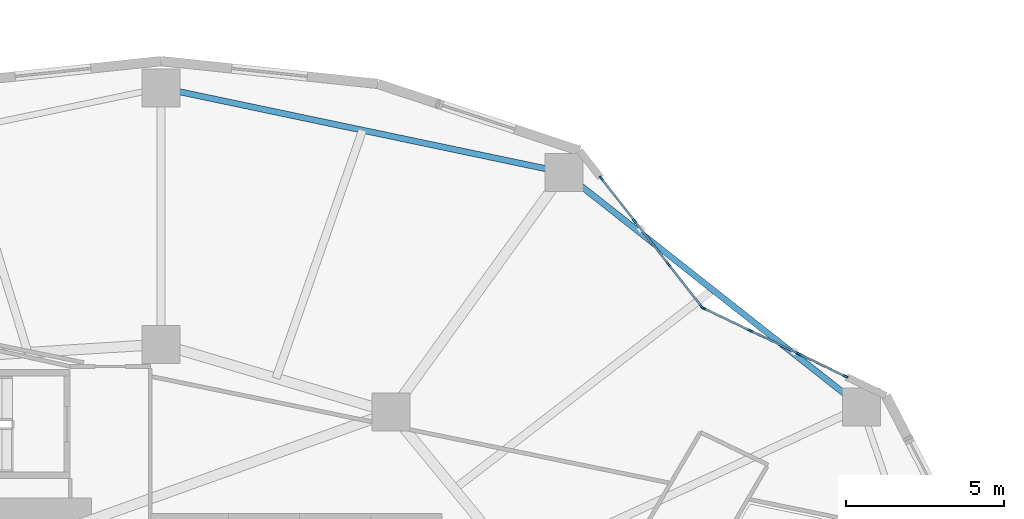
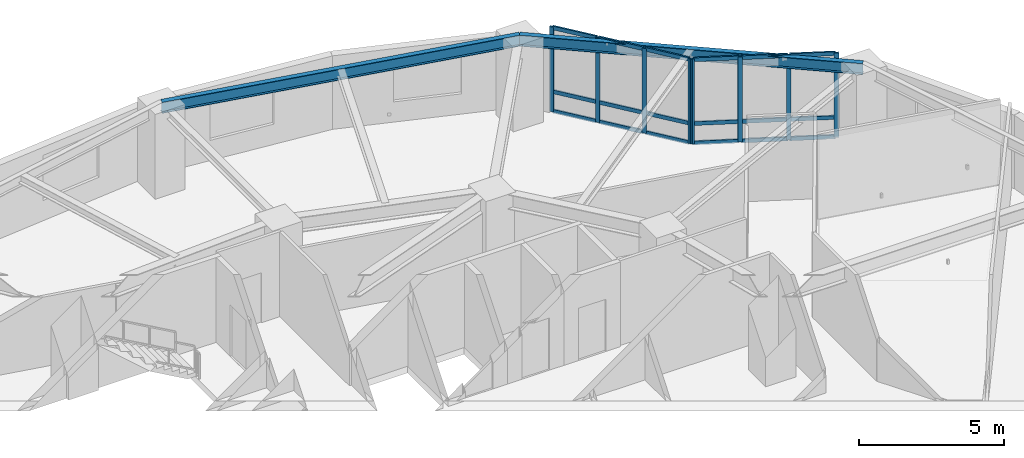
# One storey, part 6 of 18: 26 members, 2 beams, 2 elements without a shape of their own.
"""IFC4 building model written with IfcOpenShell, lengths in metres."""

from ifc_helpers import new_model, si_unit, direction, frame, origin, origin_2d, place, context, subcontext, project, spatial, rectangle, i_section, extrude, material, layer, layer_set, material_profile, profile_set, type_object, element, aggregate, save


model = new_model("IFC4")

# Units and contexts
model_context = context("Model", 3, precision=1e-05, world=origin(), true_north=direction((0.0, 1.0)))
body_context = subcontext(model_context, "Body", "Model", "MODEL_VIEW")
ifc_project = project(units=[si_unit("LENGTHUNIT", "METRE"), si_unit("AREAUNIT", "SQUARE_METRE"), si_unit("VOLUMEUNIT", "CUBIC_METRE"), si_unit("PLANEANGLEUNIT", "RADIAN"), si_unit("MASSUNIT", "GRAM", prefix="KILO")], contexts=[model_context])

# Site, building, storey
site_placement = place(None, origin())
site = spatial("IfcSite", under=ifc_project, at=site_placement, CompositionType="ELEMENT")
building_placement = place(site_placement, origin())
building = spatial("IfcBuilding", under=site, at=building_placement, Name="Kolvaren Gate Tower and Convention Centre", CompositionType="ELEMENT")
storey_placement = place(building_placement, frame((0.0, 0.0, 61.14990234375)))
storey = spatial("IfcBuildingStorey", under=building, at=storey_placement, Name="L14", CompositionType="ELEMENT", Elevation=61.14990234375)

# Curtain wall, members
ifc_material_1 = material(Name="Anodized Architectural Aluminium Alloy 6063-T6", Category="aluminium")
ifc_layer = layer(ifc_material_1, 0.159912109375)
ifc_layer_set = layer_set([ifc_layer], Name="Anodized Architectural Aluminium Alloy 6063-T6")
curtain_wall_type = type_object("IfcCurtainWallType", Name="CW-OFF-UNIT", PredefinedType="NOTDEFINED", material=ifc_layer_set)
curtain_wall_1_placement = place(storey_placement, origin())
curtain_wall_1 = element("IfcCurtainWall", 1, at=curtain_wall_1_placement, inside=storey, type_object=curtain_wall_type, Name="Tower L14 Unitised Curtain Wall CW-OFF-UNIT Bay 02", PredefinedType="NOTDEFINED")
ifc_material_profile_1 = material_profile(ifc_material_1, rectangle(XDim=0.06494140625, YDim=0.159912109375, at=origin_2d()), Name="CW-MEM-MUL-160")
ifc_profile_set_1 = profile_set([ifc_material_profile_1], Name="Anodized Architectural Aluminium Alloy 6063-T6")
member_type_1 = type_object("IfcMemberType", Name="CW-MEM-MUL-160", PredefinedType="MULLION", material=ifc_profile_set_1)
member_1_placement = place(storey_placement, frame((47.253173828125, 40.345947265625, 0.0), z_axis=(0.0, 0.0, 1.0), x_axis=(0.433067077196, 0.901361695796, 0.0)))
member_1 = element("IfcMember", 2, at=member_1_placement, type_object=member_type_1, Name="CW-02 mullion 1", PredefinedType="MULLION", context=body_context, shape_type="SweptSolid", body=[
    extrude(rectangle(XDim=0.06494140625, YDim=0.159912109375, at=origin_2d()), origin(), (0.0, 0.0, 1.0), 3.570068359375),
])
member_2_placement = place(storey_placement, frame((48.7412109375, 39.631103515625, 0.0), z_axis=(0.0, 0.0, 1.0), x_axis=(0.433067077196, 0.901361695796, 0.0)))
member_2 = element("IfcMember", 3, at=member_2_placement, type_object=member_type_1, Name="CW-02 mullion 2", PredefinedType="MULLION", context=body_context, shape_type="SweptSolid", body=[
    extrude(rectangle(XDim=0.06494140625, YDim=0.159912109375, at=origin_2d()), origin(), (0.0, 0.0, 1.0), 3.570068359375),
])
member_3_placement = place(storey_placement, frame((50.258544921875, 38.902099609375, 0.0), z_axis=(0.0, 0.0, 1.0), x_axis=(0.433067077196, 0.901361695796, 0.0)))
member_3 = element("IfcMember", 4, at=member_3_placement, type_object=member_type_1, Name="CW-02 mullion 3", PredefinedType="MULLION", context=body_context, shape_type="SweptSolid", body=[
    extrude(rectangle(XDim=0.06494140625, YDim=0.159912109375, at=origin_2d()), origin(), (0.0, 0.0, 1.0), 3.570068359375),
])
member_4_placement = place(storey_placement, frame((51.74658203125, 38.187255859375, 0.0), z_axis=(0.0, 0.0, 1.0), x_axis=(0.433067077196, 0.901361695796, 0.0)))
member_4 = element("IfcMember", 5, at=member_4_placement, type_object=member_type_1, Name="CW-02 mullion 4", PredefinedType="MULLION", context=body_context, shape_type="SweptSolid", body=[
    extrude(rectangle(XDim=0.06494140625, YDim=0.159912109375, at=origin_2d()), origin(), (0.0, 0.0, 1.0), 3.570068359375),
])

curtain_wall_2_placement = place(storey_placement, origin())
curtain_wall_2 = element("IfcCurtainWall", 6, at=curtain_wall_2_placement, inside=storey, type_object=curtain_wall_type, Name="Tower L14 Unitised Curtain Wall CW-OFF-UNIT Bay 03", PredefinedType="NOTDEFINED")
member_5_placement = place(storey_placement, frame((44.027099609375, 44.443603515625, 0.0), z_axis=(0.0, 0.0, 1.0), x_axis=(0.787406322976, 0.61643432946, 0.0)))
member_5 = element("IfcMember", 7, at=member_5_placement, type_object=member_type_1, Name="CW-02 mullion 1", PredefinedType="MULLION", context=body_context, shape_type="SweptSolid", body=[
    extrude(rectangle(XDim=0.06494140625, YDim=0.159912109375, at=origin_2d()), origin(), (0.0, 0.0, 1.0), 3.570068359375),
])
member_6_placement = place(storey_placement, frame((45.079345703125, 43.099365234375, 0.0), z_axis=(0.0, 0.0, 1.0), x_axis=(0.787406322976, 0.61643432946, 0.0)))
member_6 = element("IfcMember", 8, at=member_6_placement, type_object=member_type_1, Name="CW-02 mullion 2", PredefinedType="MULLION", context=body_context, shape_type="SweptSolid", body=[
    extrude(rectangle(XDim=0.06494140625, YDim=0.159912109375, at=origin_2d()), origin(), (0.0, 0.0, 1.0), 3.570068359375),
])
member_7_placement = place(storey_placement, frame((46.151611328125, 41.729736328125, 0.0), z_axis=(0.0, 0.0, 1.0), x_axis=(0.787406322976, 0.61643432946, 0.0)))
member_7 = element("IfcMember", 9, at=member_7_placement, type_object=member_type_1, Name="CW-02 mullion 3", PredefinedType="MULLION", context=body_context, shape_type="SweptSolid", body=[
    extrude(rectangle(XDim=0.06494140625, YDim=0.159912109375, at=origin_2d()), origin(), (0.0, 0.0, 1.0), 3.570068359375),
])
member_8_placement = place(storey_placement, frame((47.203857421875, 40.3857421875, 0.0), z_axis=(0.0, 0.0, 1.0), x_axis=(0.787406322976, 0.61643432946, 0.0)))
member_8 = element("IfcMember", 10, at=member_8_placement, type_object=member_type_1, Name="CW-02 mullion 4", PredefinedType="MULLION", context=body_context, shape_type="SweptSolid", body=[
    extrude(rectangle(XDim=0.06494140625, YDim=0.159912109375, at=origin_2d()), origin(), (0.0, 0.0, 1.0), 3.570068359375),
])

# Member
ifc_material_profile_2 = material_profile(ifc_material_1, rectangle(XDim=0.06494140625, YDim=0.159912109375, at=origin_2d()), Name="CW-MEM-TRN-160")
ifc_profile_set_2 = profile_set([ifc_material_profile_2], Name="Anodized Architectural Aluminium Alloy 6063-T6")
member_type_2 = type_object("IfcMemberType", Name="CW-MEM-TRN-160", PredefinedType="USERDEFINED", material=ifc_profile_set_2)
member_9_placement = place(storey_placement, frame((47.282470703125, 40.33203125, 0.03271484375), z_axis=(0.90136684843, -0.433056352628, 0.0), x_axis=(0.433056352628, 0.90136684843, 0.0)))
member_9 = element("IfcMember", 11, at=member_9_placement, type_object=member_type_2, Name="CW-02 transom 1.1", ObjectType="TRANSOM", PredefinedType="USERDEFINED", context=body_context, shape_type="SweptSolid", body=[
    extrude(rectangle(XDim=0.06494140625, YDim=0.159912109375, at=origin_2d()), origin(), (0.0, 0.0, 1.0), 1.5859375),
])

member_10_placement = place(storey_placement, frame((47.282470703125, 40.33203125, 0.85009765625), z_axis=(0.90136684843, -0.433056352628, 0.0), x_axis=(0.433056352628, 0.90136684843, 0.0)))
member_10 = element("IfcMember", 12, at=member_10_placement, type_object=member_type_2, Name="CW-02 transom 1.2", ObjectType="TRANSOM", PredefinedType="USERDEFINED", context=body_context, shape_type="SweptSolid", body=[
    extrude(rectangle(XDim=0.06494140625, YDim=0.159912109375, at=origin_2d()), origin(), (0.0, 0.0, 1.0), 1.5859375),
])

member_11_placement = place(storey_placement, frame((47.282470703125, 40.33203125, 3.53759765625), z_axis=(0.90136684843, -0.433056352628, 0.0), x_axis=(0.433056352628, 0.90136684843, 0.0)))
member_11 = element("IfcMember", 13, at=member_11_placement, type_object=member_type_2, Name="CW-02 transom 1.3", ObjectType="TRANSOM", PredefinedType="USERDEFINED", context=body_context, shape_type="SweptSolid", body=[
    extrude(rectangle(XDim=0.06494140625, YDim=0.159912109375, at=origin_2d()), origin(), (0.0, 0.0, 1.0), 1.5859375),
])

member_12_placement = place(storey_placement, frame((48.7705078125, 39.616943359375, 0.03271484375), z_axis=(0.901405315808, -0.432976277217, 0.0), x_axis=(0.432976277217, 0.901405315808, 0.0)))
member_12 = element("IfcMember", 14, at=member_12_placement, type_object=member_type_2, Name="CW-02 transom 2.1", ObjectType="TRANSOM", PredefinedType="USERDEFINED", context=body_context, shape_type="SweptSolid", body=[
    extrude(rectangle(XDim=0.06494140625, YDim=0.159912109375, at=origin_2d()), origin(), (0.0, 0.0, 1.0), 1.618408203125),
])

member_13_placement = place(storey_placement, frame((48.7705078125, 39.616943359375, 0.85009765625), z_axis=(0.901405315808, -0.432976277217, 0.0), x_axis=(0.432976277217, 0.901405315808, 0.0)))
member_13 = element("IfcMember", 15, at=member_13_placement, type_object=member_type_2, Name="CW-02 transom 2.2", ObjectType="TRANSOM", PredefinedType="USERDEFINED", context=body_context, shape_type="SweptSolid", body=[
    extrude(rectangle(XDim=0.06494140625, YDim=0.159912109375, at=origin_2d()), origin(), (0.0, 0.0, 1.0), 1.618408203125),
])

member_14_placement = place(storey_placement, frame((48.7705078125, 39.616943359375, 3.53759765625), z_axis=(0.901405315808, -0.432976277217, 0.0), x_axis=(0.432976277217, 0.901405315808, 0.0)))
member_14 = element("IfcMember", 16, at=member_14_placement, type_object=member_type_2, Name="CW-02 transom 2.3", ObjectType="TRANSOM", PredefinedType="USERDEFINED", context=body_context, shape_type="SweptSolid", body=[
    extrude(rectangle(XDim=0.06494140625, YDim=0.159912109375, at=origin_2d()), origin(), (0.0, 0.0, 1.0), 1.618408203125),
])

member_15_placement = place(storey_placement, frame((50.287841796875, 38.887939453125, 0.03271484375), z_axis=(0.90136684843, -0.433056352628, 0.0), x_axis=(0.433056352628, 0.90136684843, 0.0)))
member_15 = element("IfcMember", 17, at=member_15_placement, type_object=member_type_2, Name="CW-02 transom 3.1", ObjectType="TRANSOM", PredefinedType="USERDEFINED", context=body_context, shape_type="SweptSolid", body=[
    extrude(rectangle(XDim=0.06494140625, YDim=0.159912109375, at=origin_2d()), origin(), (0.0, 0.0, 1.0), 1.5859375),
])

member_16_placement = place(storey_placement, frame((50.287841796875, 38.887939453125, 0.85009765625), z_axis=(0.90136684843, -0.433056352628, 0.0), x_axis=(0.433056352628, 0.90136684843, 0.0)))
member_16 = element("IfcMember", 18, at=member_16_placement, type_object=member_type_2, Name="CW-02 transom 3.2", ObjectType="TRANSOM", PredefinedType="USERDEFINED", context=body_context, shape_type="SweptSolid", body=[
    extrude(rectangle(XDim=0.06494140625, YDim=0.159912109375, at=origin_2d()), origin(), (0.0, 0.0, 1.0), 1.5859375),
])

member_17_placement = place(storey_placement, frame((50.287841796875, 38.887939453125, 3.53759765625), z_axis=(0.90136684843, -0.433056352628, 0.0), x_axis=(0.433056352628, 0.90136684843, 0.0)))
member_17 = element("IfcMember", 19, at=member_17_placement, type_object=member_type_2, Name="CW-02 transom 3.3", ObjectType="TRANSOM", PredefinedType="USERDEFINED", context=body_context, shape_type="SweptSolid", body=[
    extrude(rectangle(XDim=0.06494140625, YDim=0.159912109375, at=origin_2d()), origin(), (0.0, 0.0, 1.0), 1.5859375),
])

aggregate(curtain_wall_1, [member_1, member_2, member_3, member_4, member_9, member_10, member_11, member_12, member_13, member_14, member_15, member_16, member_17])

member_18_placement = place(storey_placement, frame((44.047119140625, 44.41796875, 0.03271484375), z_axis=(0.616428523412, -0.787410868304, 0.0), x_axis=(0.787410868304, 0.616428523412, 0.0)))
member_18 = element("IfcMember", 20, at=member_18_placement, type_object=member_type_2, Name="CW-02 transom 1.1", ObjectType="TRANSOM", PredefinedType="USERDEFINED", context=body_context, shape_type="SweptSolid", body=[
    extrude(rectangle(XDim=0.06494140625, YDim=0.159912109375, at=origin_2d()), origin(), (0.0, 0.0, 1.0), 1.64208984375),
])

member_19_placement = place(storey_placement, frame((44.047119140625, 44.41796875, 0.85009765625), z_axis=(0.616428523412, -0.787410868304, 0.0), x_axis=(0.787410868304, 0.616428523412, 0.0)))
member_19 = element("IfcMember", 21, at=member_19_placement, type_object=member_type_2, Name="CW-02 transom 1.2", ObjectType="TRANSOM", PredefinedType="USERDEFINED", context=body_context, shape_type="SweptSolid", body=[
    extrude(rectangle(XDim=0.06494140625, YDim=0.159912109375, at=origin_2d()), origin(), (0.0, 0.0, 1.0), 1.64208984375),
])

member_20_placement = place(storey_placement, frame((44.047119140625, 44.41796875, 3.53759765625), z_axis=(0.616428523412, -0.787410868304, 0.0), x_axis=(0.787410868304, 0.616428523412, 0.0)))
member_20 = element("IfcMember", 22, at=member_20_placement, type_object=member_type_2, Name="CW-02 transom 1.3", ObjectType="TRANSOM", PredefinedType="USERDEFINED", context=body_context, shape_type="SweptSolid", body=[
    extrude(rectangle(XDim=0.06494140625, YDim=0.159912109375, at=origin_2d()), origin(), (0.0, 0.0, 1.0), 1.64208984375),
])

member_21_placement = place(storey_placement, frame((45.099365234375, 43.07373046875, 0.03271484375), z_axis=(0.616481234943, -0.787369599974, 0.0), x_axis=(0.787369599974, 0.616481234943, 0.0)))
member_21 = element("IfcMember", 23, at=member_21_placement, type_object=member_type_2, Name="CW-02 transom 2.1", ObjectType="TRANSOM", PredefinedType="USERDEFINED", context=body_context, shape_type="SweptSolid", body=[
    extrude(rectangle(XDim=0.06494140625, YDim=0.159912109375, at=origin_2d()), origin(), (0.0, 0.0, 1.0), 1.67431640625),
])

member_22_placement = place(storey_placement, frame((45.099365234375, 43.07373046875, 0.85009765625), z_axis=(0.616481234943, -0.787369599974, 0.0), x_axis=(0.787369599974, 0.616481234943, 0.0)))
member_22 = element("IfcMember", 24, at=member_22_placement, type_object=member_type_2, Name="CW-02 transom 2.2", ObjectType="TRANSOM", PredefinedType="USERDEFINED", context=body_context, shape_type="SweptSolid", body=[
    extrude(rectangle(XDim=0.06494140625, YDim=0.159912109375, at=origin_2d()), origin(), (0.0, 0.0, 1.0), 1.67431640625),
])

member_23_placement = place(storey_placement, frame((45.099365234375, 43.07373046875, 3.53759765625), z_axis=(0.616481234943, -0.787369599974, 0.0), x_axis=(0.787369599974, 0.616481234943, 0.0)))
member_23 = element("IfcMember", 25, at=member_23_placement, type_object=member_type_2, Name="CW-02 transom 2.3", ObjectType="TRANSOM", PredefinedType="USERDEFINED", context=body_context, shape_type="SweptSolid", body=[
    extrude(rectangle(XDim=0.06494140625, YDim=0.159912109375, at=origin_2d()), origin(), (0.0, 0.0, 1.0), 1.67431640625),
])

member_24_placement = place(storey_placement, frame((46.171630859375, 41.7041015625, 0.03271484375), z_axis=(0.61650069609, -0.787354362228, 0.0), x_axis=(0.787354362228, 0.61650069609, 0.0)))
member_24 = element("IfcMember", 26, at=member_24_placement, type_object=member_type_2, Name="CW-02 transom 3.1", ObjectType="TRANSOM", PredefinedType="USERDEFINED", context=body_context, shape_type="SweptSolid", body=[
    extrude(rectangle(XDim=0.06494140625, YDim=0.159912109375, at=origin_2d()), origin(), (0.0, 0.0, 1.0), 1.641845703125),
])

member_25_placement = place(storey_placement, frame((46.171630859375, 41.7041015625, 0.85009765625), z_axis=(0.61650069609, -0.787354362228, 0.0), x_axis=(0.787354362228, 0.61650069609, 0.0)))
member_25 = element("IfcMember", 27, at=member_25_placement, type_object=member_type_2, Name="CW-02 transom 3.2", ObjectType="TRANSOM", PredefinedType="USERDEFINED", context=body_context, shape_type="SweptSolid", body=[
    extrude(rectangle(XDim=0.06494140625, YDim=0.159912109375, at=origin_2d()), origin(), (0.0, 0.0, 1.0), 1.641845703125),
])

member_26_placement = place(storey_placement, frame((46.171630859375, 41.7041015625, 3.53759765625), z_axis=(0.61650069609, -0.787354362228, 0.0), x_axis=(0.787354362228, 0.61650069609, 0.0)))
member_26 = element("IfcMember", 28, at=member_26_placement, type_object=member_type_2, Name="CW-02 transom 3.3", ObjectType="TRANSOM", PredefinedType="USERDEFINED", context=body_context, shape_type="SweptSolid", body=[
    extrude(rectangle(XDim=0.06494140625, YDim=0.159912109375, at=origin_2d()), origin(), (0.0, 0.0, 1.0), 1.641845703125),
])

aggregate(curtain_wall_2, [member_5, member_6, member_7, member_8, member_18, member_19, member_20, member_21, member_22, member_23, member_24, member_25, member_26])

# Beams
ifc_material_2 = material(Name="Structural steel ASTM A992 Grade 345 MPa", Category="steel")
ifc_material_profile_3 = material_profile(ifc_material_2, i_section(OverallWidth=0.194091796875, OverallDepth=0.468994140625, WebThickness=0.0126953125, FlangeThickness=0.0205078125, at=origin_2d()), Name="W460X106")
ifc_profile_set_3 = profile_set([ifc_material_profile_3], Name="Structural steel ASTM A992 Grade 345 MPa")
beam_type = type_object("IfcBeamType", Name="STR-SP-W460X106", PredefinedType="SPANDREL", material=ifc_profile_set_3)
beam_1_placement = place(storey_placement, frame((52.248779296875, 37.218505859375, 3.335693359375), z_axis=(-0.785459824636, 0.618912646407, 0.0), x_axis=(-0.618912646407, -0.785459824636, 0.0)))
element("IfcBeam", 29, at=beam_1_placement, inside=storey, type_object=beam_type, Name="Tower L14 Perimeter Spandrel Beam SP-02", PredefinedType="SPANDREL", context=body_context, shape_type="SweptSolid", body=[
    extrude(i_section(OverallWidth=0.194091796875, OverallDepth=0.468994140625, WebThickness=0.0126953125, FlangeThickness=0.0205078125, at=origin_2d()), origin(), (0.0, 0.0, 1.0), 11.970458984375),
])
beam_2_placement = place(storey_placement, frame((42.846435546875, 44.627197265625, 3.335693359375), z_axis=(-0.978632602148, 0.205616706552, 0.0), x_axis=(-0.205616706552, -0.978632602148, 0.0)))
element("IfcBeam", 30, at=beam_2_placement, inside=storey, type_object=beam_type, Name="Tower L14 Perimeter Spandrel Beam SP-03", PredefinedType="SPANDREL", context=body_context, shape_type="SweptSolid", body=[
    extrude(i_section(OverallWidth=0.194091796875, OverallDepth=0.468994140625, WebThickness=0.0126953125, FlangeThickness=0.0205078125, at=origin_2d()), origin(), (0.0, 0.0, 1.0), 12.999267578125),
])

save(model, "model.ifc")
